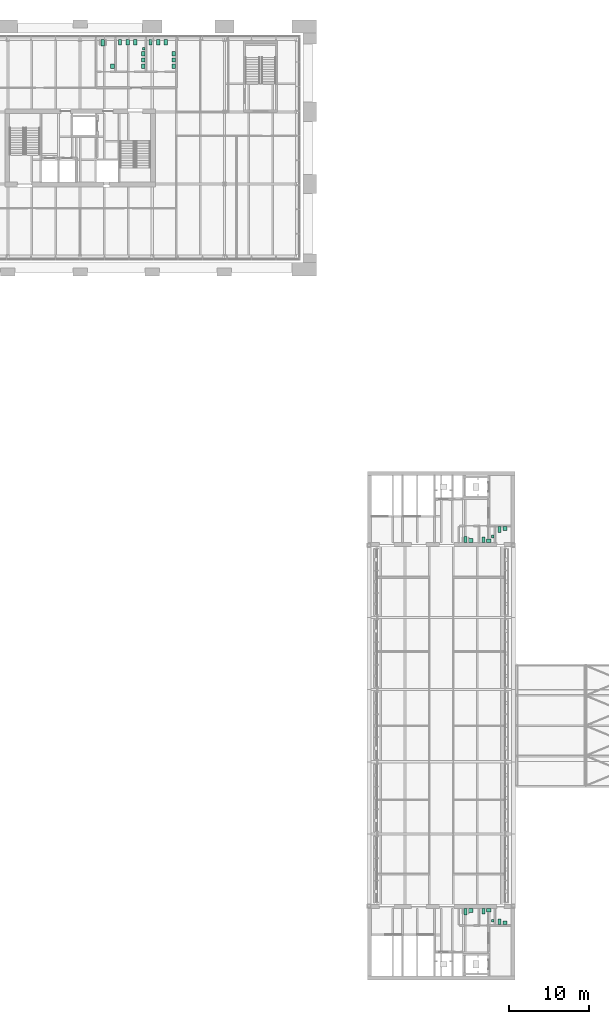
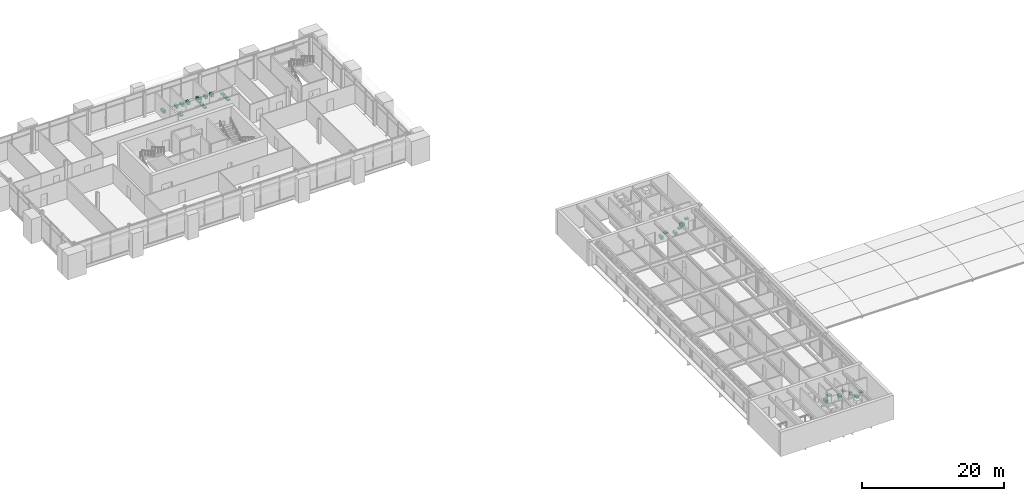
# One storey, part 43 of 43: 29 sanitary terminals.
"""IFC4 building model written with IfcOpenShell, lengths in metres."""

from ifc_helpers import new_model, si_unit, direction, frame, origin, origin_2d, place, context, subcontext, project, spatial, rectangle, extrude, material, type_object, element, save


model = new_model("IFC4")

# Units and contexts
model_context = context("Model", 3, precision=1e-05, world=origin(), true_north=direction((0.0, 1.0)))
body_context = subcontext(model_context, "Body", "Model", "MODEL_VIEW")
ifc_project = project(units=[si_unit("LENGTHUNIT", "METRE"), si_unit("AREAUNIT", "SQUARE_METRE"), si_unit("VOLUMEUNIT", "CUBIC_METRE"), si_unit("PLANEANGLEUNIT", "RADIAN"), si_unit("MASSUNIT", "GRAM", prefix="KILO")], contexts=[model_context])

# Site, building, storey
site_placement = place(None, origin())
site = spatial("IfcSite", under=ifc_project, at=site_placement, CompositionType="ELEMENT")
building_placement = place(site_placement, origin())
building = spatial("IfcBuilding", under=site, at=building_placement, Name="Baradari Gate Terminus", CompositionType="ELEMENT")
storey_placement = place(building_placement, frame((0.0, 0.0, 20.10009765625)))
storey = spatial("IfcBuildingStorey", under=building, at=storey_placement, Name="L04", CompositionType="ELEMENT", Elevation=20.10009765625)

# Sanitary terminals
ifc_material_1 = material(Name="Vitreous china", Category="ceramic")
sanitary_terminal_type_1 = type_object("IfcSanitaryTerminalType", Name="Accessible WC pan SW-5", PredefinedType="TOILETPAN", material=ifc_material_1)
for number, where, z_axis, x_axis, name in (
    (1, (38.83740234375, 143.60009765625, 0.0), (0.0, 0.0, 1.0), (1.0, 0.0, 0.0), "Accessible WC pan Accessible WC"),
    (2, (84.050048828125, 81.699951171875, 0.0), (0.0, 0.0, 1.0), (1.0, 0.0, 0.0), "Accessible WC pan Accessible WC"),
    (3, (84.050048828125, 35.300048828125, 0.0), (0.0, 0.0, 1.0), (1.0, 0.0, 0.0), "Accessible WC pan Accessible WC"),
):
    element("IfcSanitaryTerminal", number, at=place(storey_placement, frame(where, z_axis=z_axis, x_axis=x_axis)), inside=storey, type_object=sanitary_terminal_type_1, Name=name, PredefinedType="TOILETPAN", context=body_context, shape_type="SweptSolid", body=[
        extrude(rectangle(XDim=0.39990234375, YDim=0.800048828125, at=origin_2d()), origin(), (0.0, 0.0, 1.0), 0.47998046875),
    ])
ifc_material_2 = material(Name="Vitreous china", Category="ceramic")
sanitary_terminal_type_2 = type_object("IfcSanitaryTerminalType", Name="Accessible wash basin SW-6", PredefinedType="WASHHANDBASIN", material=ifc_material_2)
sanitary_terminal_placement = place(storey_placement, frame((40.0625, 140.6875, 0.75), z_axis=(0.0, 0.0, 1.0), x_axis=(1.0, 0.0, 0.0)))
element("IfcSanitaryTerminal", 4, at=sanitary_terminal_placement, inside=storey, type_object=sanitary_terminal_type_2, Name="Accessible wash basin Accessible WC", PredefinedType="WASHHANDBASIN", context=body_context, shape_type="SweptSolid", body=[
    extrude(rectangle(XDim=0.5, YDim=0.60009765625, at=origin_2d()), origin(), (0.0, 0.0, 1.0), 0.199951171875),
])
for number, where, z_axis, x_axis, name in (
    (5, (84.699951171875, 81.550048828125, 0.75), (0.0, 0.0, 1.0), (1.0, 0.0, 0.0), "Accessible wash basin Accessible WC"),
    (6, (84.699951171875, 35.449951171875, 0.75), (0.0, 0.0, 1.0), (1.0, 0.0, 0.0), "Accessible wash basin Accessible WC"),
):
    element("IfcSanitaryTerminal", number, at=place(storey_placement, frame(where, z_axis=z_axis, x_axis=x_axis)), inside=storey, type_object=sanitary_terminal_type_2, Name=name, PredefinedType="WASHHANDBASIN", context=body_context, shape_type="SweptSolid", body=[
        extrude(rectangle(XDim=0.60009765625, YDim=0.5, at=origin_2d()), origin(), (0.0, 0.0, 1.0), 0.199951171875),
    ])
ifc_material_3 = material(Name="Vitreous china", Category="ceramic")
sanitary_terminal_type_3 = type_object("IfcSanitaryTerminalType", Name="Urinal SW-3", PredefinedType="URINAL", material=ifc_material_3)
for number, where, z_axis, x_axis, name in (
    (7, (43.9375, 142.862548828125, 0.64990234375), (0.0, 0.0, 1.0), (1.0, 0.0, 0.0), "Urinal Male WC"),
    (8, (87.4375, 82.074951171875, 0.64990234375), (0.0, 0.0, 1.0), (1.0, 0.0, 0.0), "Urinal Male WC"),
    (9, (87.4375, 34.175048828125, 0.64990234375), (0.0, 0.0, 1.0), (1.0, 0.0, 0.0), "Urinal Male WC"),
):
    element("IfcSanitaryTerminal", number, at=place(storey_placement, frame(where, z_axis=z_axis, x_axis=x_axis)), inside=storey, type_object=sanitary_terminal_type_3, Name=name, PredefinedType="URINAL", context=body_context, shape_type="SweptSolid", body=[
        extrude(rectangle(XDim=0.35009765625, YDim=0.35009765625, at=origin_2d()), origin(), (0.0, 0.0, 1.0), 0.60009765625),
    ])
ifc_material_4 = material(Name="Vitreous china", Category="ceramic")
sanitary_terminal_type_4 = type_object("IfcSanitaryTerminalType", Name="WC pan SW-1", PredefinedType="TOILETPAN", material=ifc_material_4)
for number, where, z_axis, x_axis, name in (
    (10, (40.987548828125, 143.64990234375, 0.0), (0.0, 0.0, 1.0), (1.0, 0.0, 0.0), "WC pan Male WC"),
    (11, (41.9375, 143.64990234375, 0.0), (0.0, 0.0, 1.0), (1.0, 0.0, 0.0), "WC pan Male WC"),
    (12, (42.887451171875, 143.64990234375, 0.0), (0.0, 0.0, 1.0), (1.0, 0.0, 0.0), "WC pan Male WC"),
    (13, (44.78759765625, 143.64990234375, 0.0), (0.0, 0.0, 1.0), (1.0, 0.0, 0.0), "WC pan Female WC"),
    (14, (45.737548828125, 143.64990234375, 0.0), (0.0, 0.0, 1.0), (1.0, 0.0, 0.0), "WC pan Female WC"),
    (15, (46.6875, 143.64990234375, 0.0), (0.0, 0.0, 1.0), (1.0, 0.0, 0.0), "WC pan Female WC"),
    (16, (86.28759765625, 81.64990234375, 0.0), (0.0, 0.0, 1.0), (1.0, 0.0, 0.0), "WC pan Male WC"),
    (17, (88.28759765625, 82.949951171875, 0.0), (0.0, 0.0, 1.0), (1.0, 0.0, 0.0), "WC pan Female WC"),
    (18, (86.28759765625, 35.35009765625, 0.0), (0.0, 0.0, 1.0), (1.0, 0.0, 0.0), "WC pan Male WC"),
    (19, (88.28759765625, 34.050048828125, 0.0), (0.0, 0.0, 1.0), (1.0, 0.0, 0.0), "WC pan Female WC"),
):
    element("IfcSanitaryTerminal", number, at=place(storey_placement, frame(where, z_axis=z_axis, x_axis=x_axis)), inside=storey, type_object=sanitary_terminal_type_4, Name=name, PredefinedType="TOILETPAN", context=body_context, shape_type="SweptSolid", body=[
        extrude(rectangle(XDim=0.39990234375, YDim=0.699951171875, at=origin_2d()), origin(), (0.0, 0.0, 1.0), 0.419921875),
    ])
ifc_material_5 = material(Name="Vitreous china", Category="ceramic")
sanitary_terminal_type_5 = type_object("IfcSanitaryTerminalType", Name="Wash basin SW-2", PredefinedType="WASHHANDBASIN", material=ifc_material_5)
for number, where, z_axis, x_axis, name in (
    (20, (43.887451171875, 140.66259765625, 0.75), (0.0, 0.0, 1.0), (1.0, 0.0, 0.0), "Wash basin Male WC"),
    (21, (43.887451171875, 141.46240234375, 0.75), (0.0, 0.0, 1.0), (1.0, 0.0, 0.0), "Wash basin Male WC"),
    (22, (43.887451171875, 142.262451171875, 0.75), (0.0, 0.0, 1.0), (1.0, 0.0, 0.0), "Wash basin Male WC"),
    (23, (47.6875, 140.66259765625, 0.75), (0.0, 0.0, 1.0), (1.0, 0.0, 0.0), "Wash basin Female WC"),
    (24, (47.6875, 141.46240234375, 0.75), (0.0, 0.0, 1.0), (1.0, 0.0, 0.0), "Wash basin Female WC"),
    (25, (47.6875, 142.262451171875, 0.75), (0.0, 0.0, 1.0), (1.0, 0.0, 0.0), "Wash basin Female WC"),
):
    element("IfcSanitaryTerminal", number, at=place(storey_placement, frame(where, z_axis=z_axis, x_axis=x_axis)), inside=storey, type_object=sanitary_terminal_type_5, Name=name, PredefinedType="WASHHANDBASIN", context=body_context, shape_type="SweptSolid", body=[
        extrude(rectangle(XDim=0.449951171875, YDim=0.550048828125, at=origin_2d()), origin(), (0.0, 0.0, 1.0), 0.199951171875),
    ])
for number, where, z_axis, x_axis, name in (
    (26, (86.96240234375, 81.52490234375, 0.75), (0.0, 0.0, 1.0), (1.0, 0.0, 0.0), "Wash basin Male WC"),
    (27, (88.96240234375, 83.074951171875, 0.75), (0.0, 0.0, 1.0), (1.0, 0.0, 0.0), "Wash basin Female WC"),
    (28, (86.96240234375, 35.47509765625, 0.75), (0.0, 0.0, 1.0), (1.0, 0.0, 0.0), "Wash basin Male WC"),
    (29, (88.96240234375, 33.925048828125, 0.75), (0.0, 0.0, 1.0), (1.0, 0.0, 0.0), "Wash basin Female WC"),
):
    element("IfcSanitaryTerminal", number, at=place(storey_placement, frame(where, z_axis=z_axis, x_axis=x_axis)), inside=storey, type_object=sanitary_terminal_type_5, Name=name, PredefinedType="WASHHANDBASIN", context=body_context, shape_type="SweptSolid", body=[
        extrude(rectangle(XDim=0.550048828125, YDim=0.449951171875, at=origin_2d()), origin(), (0.0, 0.0, 1.0), 0.199951171875),
    ])

save(model, "model.ifc")
